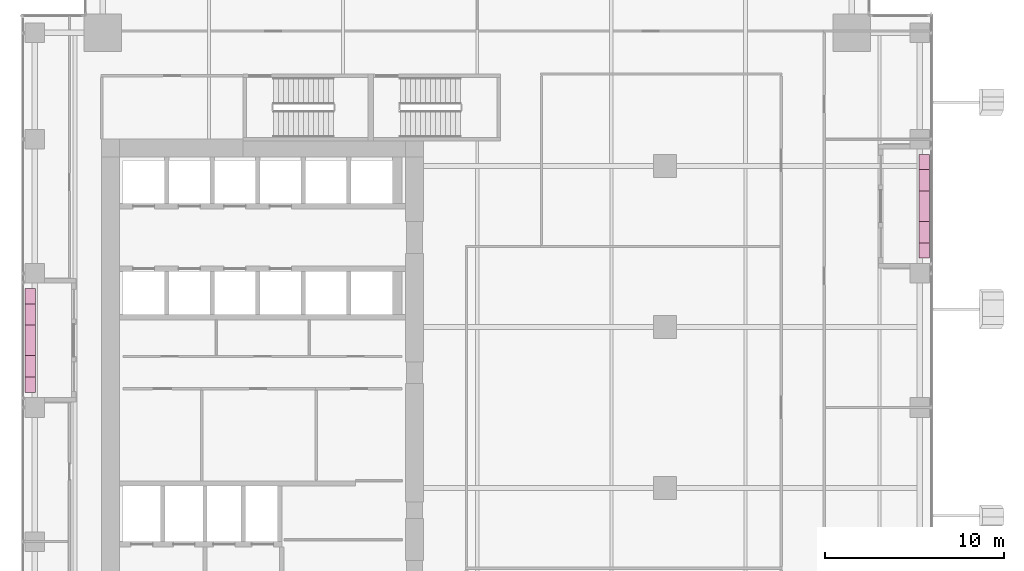
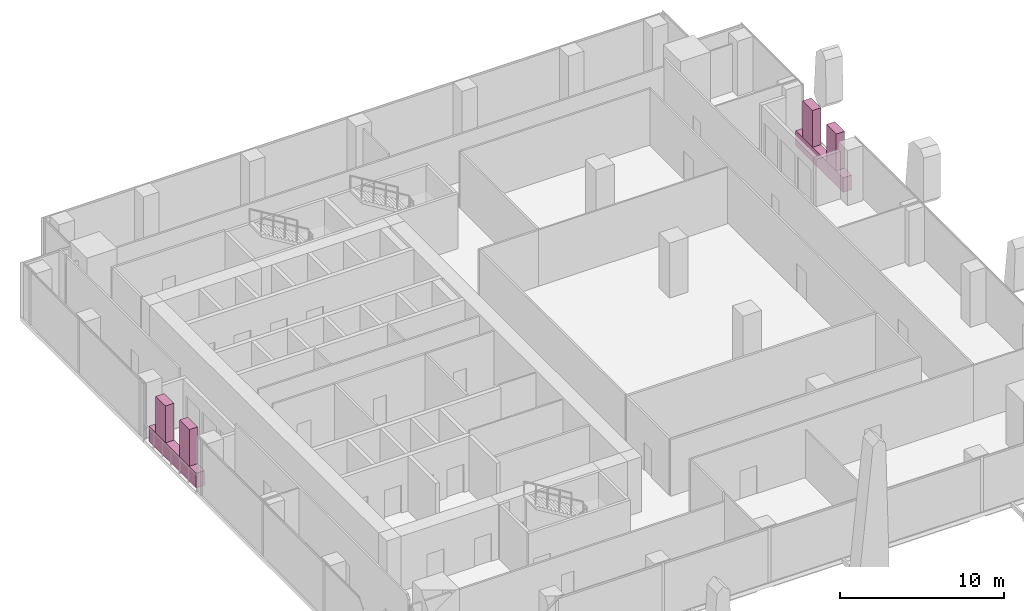
# One storey, part 35 of 35: 6 furnishings.
"""IFC4 building model written with IfcOpenShell, lengths in metres."""

from ifc_helpers import new_model, si_unit, direction, frame, origin, origin_2d, place, context, subcontext, project, spatial, rectangle, extrude, source, transform, mapped, material, type_object, element, save


model = new_model("IFC4")

# Units and contexts
model_context = context("Model", 3, precision=1e-05, world=origin(), true_north=direction((0.0, 1.0)))
body_context = subcontext(model_context, "Body", "Model", "MODEL_VIEW")
ifc_project = project(units=[si_unit("LENGTHUNIT", "METRE"), si_unit("AREAUNIT", "SQUARE_METRE"), si_unit("VOLUMEUNIT", "CUBIC_METRE"), si_unit("PLANEANGLEUNIT", "RADIAN"), si_unit("MASSUNIT", "GRAM", prefix="KILO")], contexts=[model_context])

# Site, building, storey
site_placement = place(None, origin())
site = spatial("IfcSite", under=ifc_project, at=site_placement, CompositionType="ELEMENT")
building_placement = place(site_placement, origin())
building = spatial("IfcBuilding", under=site, at=building_placement, Name="Khomas Fold Tower", CompositionType="ELEMENT")
storey_placement = place(building_placement, frame((0.0, 0.0, 136.699951171875)))
storey = spatial("IfcBuildingStorey", under=building, at=storey_placement, Name="L29", CompositionType="ELEMENT", Elevation=136.699951171875)

# Furnishings
ifc_material_1 = material(Name="Planting")
furnishing_element_type_1 = type_object("IfcFurnishingElementType", Name="BL-Tree Karee", material=ifc_material_1)
shared_shape_1 = source(origin(), body_context, "Body", "SweptSolid", [
    extrude(rectangle(XDim=1.199951171875, YDim=0.60009765625, at=origin_2d()), origin(), (0.0, 0.0, 1.0), 2.7451171875),
])
furnishing_1_placement = place(storey_placement, frame((52.0, 36.800048828125, 1.054931640625), z_axis=(0.0, 0.0, 1.0), x_axis=(0.0, 1.0, 0.0)))
element("IfcFurnishingElement", 1, at=furnishing_1_placement, inside=storey, type_object=furnishing_element_type_1, Name="PLANTER (TREE) Karee BAL-L29-E4-1", context=body_context, shape_type="MappedRepresentation", body=[
    mapped(shared_shape_1, transform((0.0, 0.0, 0.0))),
])
ifc_material_2 = material(Name="Planting")
furnishing_element_type_2 = type_object("IfcFurnishingElementType", Name="BL-Tree Wild olive", material=ifc_material_2)
furnishing_2_placement = place(storey_placement, frame((52.0, 39.699951171875, 1.054931640625), z_axis=(0.0, 0.0, 1.0), x_axis=(0.0, 1.0, 0.0)))
element("IfcFurnishingElement", 2, at=furnishing_2_placement, inside=storey, type_object=furnishing_element_type_2, Name="PLANTER (TREE) Wild olive BAL-L29-E4-2", context=body_context, shape_type="MappedRepresentation", body=[
    mapped(shared_shape_1, transform((0.0, 0.0, 0.0))),
])
furnishing_3_placement = place(storey_placement, frame((2.0, 29.300048828125, 1.054931640625), z_axis=(0.0, 0.0, 1.0), x_axis=(0.0, 1.0, 0.0)))
element("IfcFurnishingElement", 3, at=furnishing_3_placement, inside=storey, type_object=furnishing_element_type_1, Name="PLANTER (TREE) Karee BAL-L29-W3-1", context=body_context, shape_type="MappedRepresentation", body=[
    mapped(shared_shape_1, transform((0.0, 0.0, 0.0))),
])
furnishing_4_placement = place(storey_placement, frame((2.0, 32.199951171875, 1.054931640625), z_axis=(0.0, 0.0, 1.0), x_axis=(0.0, 1.0, 0.0)))
element("IfcFurnishingElement", 4, at=furnishing_4_placement, inside=storey, type_object=furnishing_element_type_2, Name="PLANTER (TREE) Wild olive BAL-L29-W3-2", context=body_context, shape_type="MappedRepresentation", body=[
    mapped(shared_shape_1, transform((0.0, 0.0, 0.0))),
])
ifc_material_3 = material(Name="Precast concrete C40/50", Category="concrete")
furnishing_element_type_3 = type_object("IfcFurnishingElementType", Name="BL-Structural planter box", material=ifc_material_3)
shared_shape_2 = source(origin(), body_context, "Body", "SweptSolid", [
    extrude(rectangle(XDim=5.800048828125, YDim=0.60009765625, at=origin_2d()), origin(), (0.0, 0.0, 1.0), 1.10009765625),
])
for number, where, z_axis, x_axis, name in (
    (5, (52.0, 38.25, -0.044921875), (0.0, 0.0, 1.0), (0.0, 1.0, 0.0), "PLANTER BAL-L29-E4"),
    (6, (2.0, 30.75, -0.044921875), (0.0, 0.0, 1.0), (0.0, 1.0, 0.0), "PLANTER BAL-L29-W3"),
):
    element("IfcFurnishingElement", number, at=place(storey_placement, frame(where, z_axis=z_axis, x_axis=x_axis)), inside=storey, type_object=furnishing_element_type_3, Name=name, context=body_context, shape_type="MappedRepresentation", body=[
        mapped(shared_shape_2, transform((0.0, 0.0, 0.0))),
    ])

save(model, "model.ifc")
